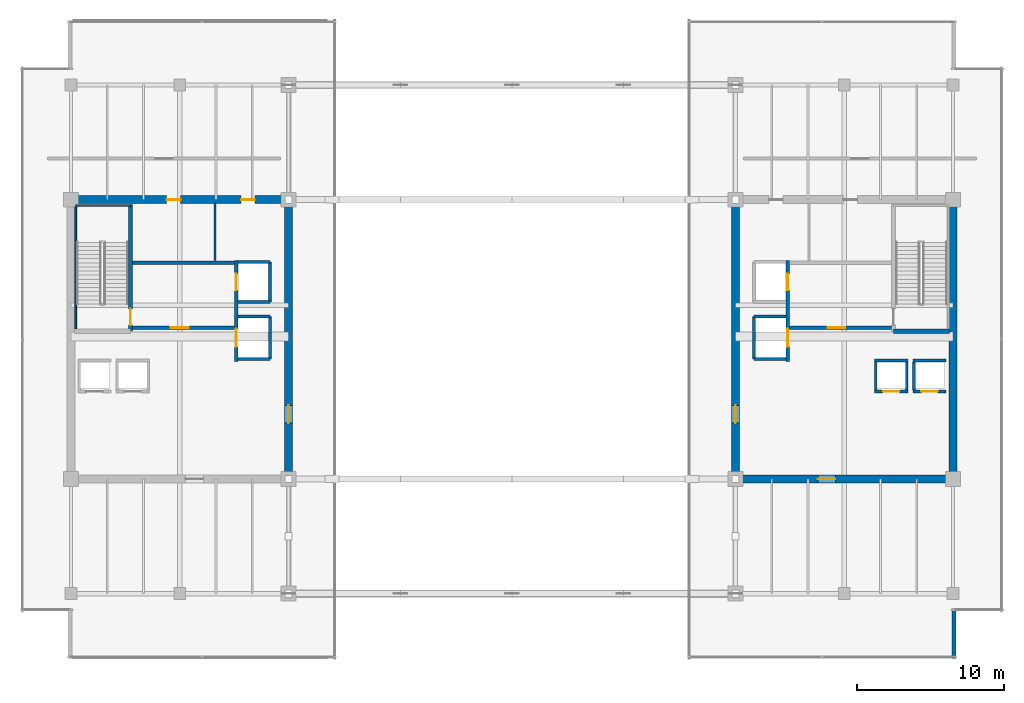
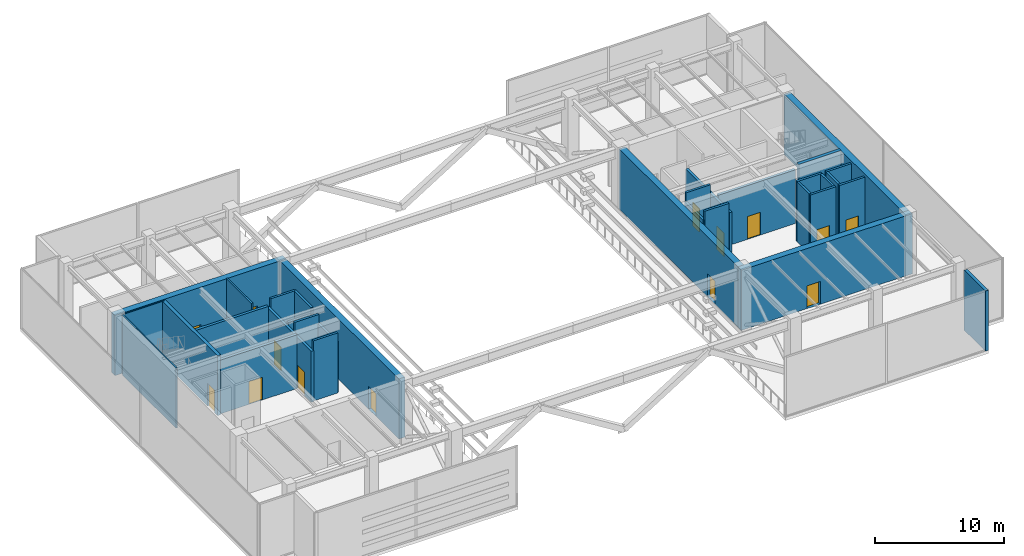
# One storey, part 25 of 30: 32 walls, 14 doors, 14 openings.
"""IFC4 building model written with IfcOpenShell, lengths in metres."""

from ifc_helpers import new_model, si_unit, direction, frame, frame_2d, origin, place, context, subcontext, project, spatial, rectangle, extrude, source, transform, mapped, material, layer, layer_set, type_object, type_shapes, element, fill, save


model = new_model("IFC4")

# Units and contexts
model_context = context("Model", 3, precision=1e-05, world=origin(), true_north=direction((0.0, 1.0)))
body_context = subcontext(model_context, "Body", "Model", "MODEL_VIEW")
ifc_project = project(units=[si_unit("LENGTHUNIT", "METRE"), si_unit("AREAUNIT", "SQUARE_METRE"), si_unit("VOLUMEUNIT", "CUBIC_METRE"), si_unit("PLANEANGLEUNIT", "RADIAN"), si_unit("MASSUNIT", "GRAM", prefix="KILO")], contexts=[model_context])

# Site, building, storey
site_placement = place(None, origin())
site = spatial("IfcSite", under=ifc_project, at=site_placement, CompositionType="ELEMENT")
building_placement = place(site_placement, origin())
building = spatial("IfcBuilding", under=site, at=building_placement, Name="Haelvirn Gate Laboratories", CompositionType="ELEMENT")
storey_placement = place(building_placement, frame((0.0, 0.0, 291.60009765625)))
storey = spatial("IfcBuildingStorey", under=building, at=storey_placement, Name="L70", CompositionType="ELEMENT", Elevation=291.60009765625)

# Walls
ifc_material_1 = material(Name="Thermally-broken bronze aluminium rainscreen & mineral wool", Category="aluminium")
ifc_layer_1 = layer(ifc_material_1, 0.280029296875, Name="EW-TERR-280")
ifc_layer_set_1 = layer_set([ifc_layer_1], Name="Thermally-broken bronze aluminium rainscreen & mineral wool")
wall_type_1 = type_object("IfcWallType", Name="EW-TERR-280", PredefinedType="STANDARD", material=ifc_layer_set_1)
wall_1_placement = place(storey_placement, frame((67.4599609375, 2.60009765625, 0.0), z_axis=(0.0, 0.0, 1.0), x_axis=(0.0, 1.0, 0.0)))
element("IfcWall", 1, at=wall_1_placement, inside=storey, type_object=wall_type_1, Name="L70 Atrium Recess Bronze Return Wall 01", PredefinedType="STANDARD", context=body_context, shape_type="SweptSolid", body=[
    extrude(rectangle(XDim=3.287841796875, YDim=0.280029296875, at=frame_2d((1.64404296875, 0.0))), origin(), (0.0, 0.0, 1.0), 5.699951171875),
])
ifc_material_2 = material(Name="Cement-board restroom plumbing chase wall", Category="gypsum")
ifc_layer_2 = layer(ifc_material_2, 0.155029296875, Name="IW-PLUMB-160")
ifc_layer_set_2 = layer_set([ifc_layer_2], Name="Cement-board restroom plumbing chase wall")
wall_type_2 = type_object("IfcWallType", Name="IW-PLUMB-160", PredefinedType="PLUMBINGWALL", material=ifc_layer_set_2)
wall_2_placement = place(storey_placement, frame((17.18994140625, 29.64990234375, 0.0), z_axis=(0.0, 0.0, 1.0), x_axis=(0.0, 1.0, 0.0)))
element("IfcWall", 2, at=wall_2_placement, inside=storey, type_object=wall_type_2, Name="L70 Interior Wall IW-L70-W-CDIV-1", PredefinedType="PLUMBINGWALL", context=body_context, shape_type="SweptSolid", body=[
    extrude(rectangle(XDim=3.93017578125, YDim=0.155029296875, at=frame_2d((1.965087890625, 0.0))), origin(), (0.0, 0.0, 1.0), 5.699951171875),
])
ifc_material_3 = material(Name="Concrete C40/50", Category="concrete")
ifc_layer_3 = layer(ifc_material_3, 0.179931640625, Name="IW-SHAFT-180")
ifc_layer_set_3 = layer_set([ifc_layer_3], Name="Concrete C40/50")
wall_type_3 = type_object("IfcWallType", Name="IW-SHAFT-180", PredefinedType="SOLIDWALL", material=ifc_layer_set_3)
for number, where, z_axis, x_axis, name in (
    (3, (64.75, 20.85009765625, 0.0), (0.0, 0.0, 1.0), (0.0, 1.0, 0.0), "L70 Interior Wall IW-L70-PL11-SD"),
    (4, (62.14990234375, 20.85009765625, 0.0), (0.0, 0.0, 1.0), (0.0, 1.0, 0.0), "L70 Interior Wall IW-L70-PL12-SD"),
    (5, (64.25, 20.85009765625, 0.0), (0.0, 0.0, 1.0), (0.0, 1.0, 0.0), "L70 Interior Wall IW-L70-PL12-SDE"),
):
    element("IfcWall", number, at=place(storey_placement, frame(where, z_axis=z_axis, x_axis=x_axis)), inside=storey, type_object=wall_type_3, Name=name, PredefinedType="SOLIDWALL", context=body_context, shape_type="SweptSolid", body=[
        extrude(rectangle(XDim=1.89990234375, YDim=0.179931640625, at=frame_2d((0.949951171875, 0.0))), origin(), (0.0, 0.0, 1.0), 5.699951171875),
    ])
ifc_layer_4 = layer(ifc_material_3, 0.199951171875, Name="IW-SHAFT-200")
ifc_layer_set_4 = layer_set([ifc_layer_4], Name="Concrete C40/50")
wall_type_4 = type_object("IfcWallType", Name="IW-SHAFT-200", PredefinedType="SOLIDWALL", material=ifc_layer_set_4)
wall_3_placement = place(storey_placement, frame((20.949951171875, 26.85009765625, 0.0), z_axis=(0.0, 0.0, 1.0), x_axis=(0.0, 1.0, 0.0)))
element("IfcWall", 6, at=wall_3_placement, inside=storey, type_object=wall_type_4, Name="L70 Interior Wall IW-L70-FL1-BK", PredefinedType="SOLIDWALL", context=body_context, shape_type="SweptSolid", body=[
    extrude(rectangle(XDim=2.699951171875, YDim=0.199951171875, at=frame_2d((1.35009765625, 0.0))), origin(), (0.0, 0.0, 1.0), 5.699951171875),
])
wall_4_placement = place(storey_placement, frame((18.760009765625, 29.550048828125, 0.0), z_axis=(0.0, 0.0, 1.0), x_axis=(1.0, 0.0, 0.0)))
element("IfcWall", 7, at=wall_4_placement, inside=storey, type_object=wall_type_4, Name="L70 Interior Wall IW-L70-FL1-N", PredefinedType="SOLIDWALL", context=body_context, shape_type="SweptSolid", body=[
    extrude(rectangle(XDim=2.18994140625, YDim=0.199951171875, at=frame_2d((1.094970703125, 0.0))), origin(), (0.0, 0.0, 1.0), 5.699951171875),
])
wall_5_placement = place(storey_placement, frame((18.760009765625, 26.85009765625, 0.0), z_axis=(0.0, 0.0, 1.0), x_axis=(1.0, 0.0, 0.0)))
element("IfcWall", 8, at=wall_5_placement, inside=storey, type_object=wall_type_4, Name="L70 Interior Wall IW-L70-FL1-S", PredefinedType="SOLIDWALL", context=body_context, shape_type="SweptSolid", body=[
    extrude(rectangle(XDim=2.18994140625, YDim=0.199951171875, at=frame_2d((1.094970703125, 0.0))), origin(), (0.0, 0.0, 1.0), 5.096923828125),
])
wall_6_placement = place(storey_placement, frame((20.949951171875, 22.949951171875, 0.0), z_axis=(0.0, 0.0, 1.0), x_axis=(0.0, 1.0, 0.0)))
element("IfcWall", 9, at=wall_6_placement, inside=storey, type_object=wall_type_4, Name="L70 Interior Wall IW-L70-SL1-BK", PredefinedType="SOLIDWALL", context=body_context, shape_type="SweptSolid", body=[
    extrude(rectangle(XDim=2.900146484375, YDim=0.199951171875, at=frame_2d((1.4501953125, 0.0))), origin(), (0.0, 0.0, 1.0), 4.8349609375),
])
for number, where, z_axis, x_axis, name in (
    (10, (18.760009765625, 25.85009765625, 0.0), (0.0, 0.0, 1.0), (1.0, 0.0, 0.0), "L70 Interior Wall IW-L70-SL1-N"),
    (11, (18.760009765625, 22.949951171875, 0.0), (0.0, 0.0, 1.0), (1.0, 0.0, 0.0), "L70 Interior Wall IW-L70-SL1-S"),
):
    element("IfcWall", number, at=place(storey_placement, frame(where, z_axis=z_axis, x_axis=x_axis)), inside=storey, type_object=wall_type_4, Name=name, PredefinedType="SOLIDWALL", context=body_context, shape_type="SweptSolid", body=[
        extrude(rectangle(XDim=2.18994140625, YDim=0.199951171875, at=frame_2d((1.094970703125, 0.0))), origin(), (0.0, 0.0, 1.0), 5.699951171875),
    ])

# Wall, opening, door
wall_7_placement = place(storey_placement, frame((64.669921875, 20.75, 0.0), z_axis=(0.0, 0.0, 1.0), x_axis=(1.0, 0.0, 0.0)))
wall_7 = element("IfcWall", 12, at=wall_7_placement, inside=storey, type_object=wall_type_4, Name="L70 Interior Wall IW-L70-PL11-FR", PredefinedType="SOLIDWALL", context=body_context, shape_type="SweptSolid", body=[
    extrude(rectangle(XDim=2.260009765625, YDim=0.199951171875, at=frame_2d((1.1298828125, 0.0))), origin(), (0.0, 0.0, 1.0), 5.699951171875),
])
opening_1_placement = place(wall_7_placement, frame((0.580078125, 0.0, 0.0)))
opening_1 = element("IfcOpeningElement", 13, at=opening_1_placement, cuts=wall_7, Name="Opening LD2", PredefinedType="OPENING", context=body_context, shape_type="SweptSolid", body=[
    extrude(rectangle(XDim=1.10009765625, YDim=2.219970703125, at=frame_2d((0.550048828125, 1.10986328125))), frame((0.0, 0.10986328125, 0.0), z_axis=(0.0, -1.0, 0.0), x_axis=(1.0, 0.0, 0.0)), (0.0, 0.0, 1.0), 0.219970703125),
])
ifc_material_4 = material(Name="Bronze stainless 316L sliding lift landing door")
door_type_1 = type_object("IfcDoorType", Name="DR-LD-1100", OperationType="NOTDEFINED", PredefinedType="USERDEFINED", material=ifc_material_4)
shared_shape_1 = source(origin(), body_context, "Body", "SweptSolid", [
    extrude(rectangle(XDim=1.10009765625, YDim=2.219970703125, at=frame_2d((0.550048828125, 1.10986328125))), frame((0.0, 0.02490234375, 0.0), z_axis=(0.0, -1.0, 0.0), x_axis=(1.0, 0.0, 0.0)), (0.0, 0.0, 1.0), 0.050048828125),
])
type_shapes(door_type_1, [shared_shape_1])
door_1_placement = place(opening_1_placement, origin())
door_1 = element("IfcDoor", 14, at=door_1_placement, inside=storey, type_object=door_type_1, Name="L70 Passenger Lift PL11 Landing Door", ObjectType="LANDING_DOOR", OperationType="SLIDING_TO_LEFT", OverallHeight=2.219970703125, OverallWidth=1.10009765625, PredefinedType="USERDEFINED", context=body_context, shape_type="MappedRepresentation", body=[
    mapped(shared_shape_1, transform((0.0, 0.0, 0.0), scale=1.0)),
])
fill(opening_1, door_1)

# Wall
wall_8_placement = place(storey_placement, frame((64.669921875, 22.85009765625, 0.0), z_axis=(0.0, 0.0, 1.0), x_axis=(1.0, 0.0, 0.0)))
element("IfcWall", 15, at=wall_8_placement, inside=storey, type_object=wall_type_4, Name="L70 Interior Wall IW-L70-PL11-BK", PredefinedType="SOLIDWALL", context=body_context, shape_type="SweptSolid", body=[
    extrude(rectangle(XDim=2.260009765625, YDim=0.199951171875, at=frame_2d((1.1298828125, 0.0))), origin(), (0.0, 0.0, 1.0), 5.699951171875),
])

# Wall, opening, door
wall_9_placement = place(storey_placement, frame((62.070068359375, 20.75, 0.0), z_axis=(0.0, 0.0, 1.0), x_axis=(1.0, 0.0, 0.0)))
wall_9 = element("IfcWall", 16, at=wall_9_placement, inside=storey, type_object=wall_type_4, Name="L70 Interior Wall IW-L70-PL12-FR", PredefinedType="SOLIDWALL", context=body_context, shape_type="SweptSolid", body=[
    extrude(rectangle(XDim=2.260009765625, YDim=0.199951171875, at=frame_2d((1.1298828125, 0.0))), origin(), (0.0, 0.0, 1.0), 5.699951171875),
])
opening_2_placement = place(wall_9_placement, frame((0.580078125, 0.0, 0.0)))
opening_2 = element("IfcOpeningElement", 17, at=opening_2_placement, cuts=wall_9, Name="Opening LD2", PredefinedType="OPENING", context=body_context, shape_type="SweptSolid", body=[
    extrude(rectangle(XDim=1.10009765625, YDim=2.219970703125, at=frame_2d((0.550048828125, 1.10986328125))), frame((0.0, 0.10986328125, 0.0), z_axis=(0.0, -1.0, 0.0), x_axis=(1.0, 0.0, 0.0)), (0.0, 0.0, 1.0), 0.219970703125),
])
door_2_placement = place(opening_2_placement, origin())
door_2 = element("IfcDoor", 18, at=door_2_placement, inside=storey, type_object=door_type_1, Name="L70 Passenger Lift PL12 Landing Door", ObjectType="LANDING_DOOR", OperationType="SLIDING_TO_RIGHT", OverallHeight=2.219970703125, OverallWidth=1.10009765625, PredefinedType="USERDEFINED", context=body_context, shape_type="MappedRepresentation", body=[
    mapped(shared_shape_1, transform((0.0, 0.0, 0.0), scale=1.0)),
])
fill(opening_2, door_2)

# Walls
wall_10_placement = place(storey_placement, frame((62.070068359375, 22.85009765625, 0.0), z_axis=(0.0, 0.0, 1.0), x_axis=(1.0, 0.0, 0.0)))
element("IfcWall", 19, at=wall_10_placement, inside=storey, type_object=wall_type_4, Name="L70 Interior Wall IW-L70-PL12-BK", PredefinedType="SOLIDWALL", context=body_context, shape_type="SweptSolid", body=[
    extrude(rectangle(XDim=2.260009765625, YDim=0.199951171875, at=frame_2d((1.1298828125, 0.0))), origin(), (0.0, 0.0, 1.0), 5.699951171875),
])
wall_11_placement = place(storey_placement, frame((53.85009765625, 22.949951171875, 0.0), z_axis=(0.0, 0.0, 1.0), x_axis=(0.0, 1.0, 0.0)))
element("IfcWall", 20, at=wall_11_placement, inside=storey, type_object=wall_type_4, Name="L70 Interior Wall IW-L70-SL2-BK", PredefinedType="SOLIDWALL", context=body_context, shape_type="SweptSolid", body=[
    extrude(rectangle(XDim=2.900146484375, YDim=0.199951171875, at=frame_2d((1.4501953125, 0.0))), origin(), (0.0, 0.0, 1.0), 4.8349609375),
])
for number, where, z_axis, x_axis, name in (
    (21, (53.85009765625, 25.85009765625, 0.0), (0.0, 0.0, 1.0), (1.0, 0.0, 0.0), "L70 Interior Wall IW-L70-SL2-N"),
    (22, (53.85009765625, 22.949951171875, 0.0), (0.0, 0.0, 1.0), (1.0, 0.0, 0.0), "L70 Interior Wall IW-L70-SL2-S"),
):
    element("IfcWall", number, at=place(storey_placement, frame(where, z_axis=z_axis, x_axis=x_axis)), inside=storey, type_object=wall_type_4, Name=name, PredefinedType="SOLIDWALL", context=body_context, shape_type="SweptSolid", body=[
        extrude(rectangle(XDim=2.18994140625, YDim=0.199951171875, at=frame_2d((1.094970703125, 0.0))), origin(), (0.0, 0.0, 1.0), 5.699951171875),
    ])

# Wall, opening, door
ifc_layer_5 = layer(ifc_material_3, 0.239990234375, Name="IW-SHAFT-240")
ifc_layer_set_5 = layer_set([ifc_layer_5], Name="Concrete C40/50")
wall_type_5 = type_object("IfcWallType", Name="IW-SHAFT-240", PredefinedType="SOLIDWALL", material=ifc_layer_set_5)
wall_12_placement = place(storey_placement, frame((11.60009765625, 25.080078125, 0.0), z_axis=(0.0, 0.0, 1.0), x_axis=(1.0, 0.0, 0.0)))
wall_12 = element("IfcWall", 23, at=wall_12_placement, inside=storey, type_object=wall_type_5, Name="L70 Interior Wall IW-L70-W-FF-S", PredefinedType="SOLIDWALL", context=body_context, shape_type="SweptSolid", body=[
    extrude(rectangle(XDim=6.919921875, YDim=0.239990234375, at=frame_2d((3.4599609375, 0.0))), origin(), (0.0, 0.0, 1.0), 5.096923828125),
])
opening_3_placement = place(wall_12_placement, frame((2.60009765625, 0.0, 0.0)))
opening_3 = element("IfcOpeningElement", 24, at=opening_3_placement, cuts=wall_12, Name="Opening FD2", PredefinedType="OPENING", context=body_context, shape_type="SweptSolid", body=[
    extrude(rectangle(XDim=1.199951171875, YDim=2.159912109375, at=frame_2d((0.60009765625, 1.080078125))), frame((0.0, 0.1298828125, 0.0), z_axis=(0.0, -1.0, 0.0), x_axis=(1.0, 0.0, 0.0)), (0.0, 0.0, 1.0), 0.260009765625),
])
ifc_material_5 = material(Name="Fire-rated steel SM355 compartment door", Category="steel")
door_type_2 = type_object("IfcDoorType", Name="DR-FD-1200", OperationType="NOTDEFINED", PredefinedType="DOOR", material=ifc_material_5)
shared_shape_2 = source(origin(), body_context, "Body", "SweptSolid", [
    extrude(rectangle(XDim=1.199951171875, YDim=2.159912109375, at=frame_2d((0.60009765625, 1.080078125))), frame((0.0, 0.02490234375, 0.0), z_axis=(0.0, -1.0, 0.0), x_axis=(1.0, 0.0, 0.0)), (0.0, 0.0, 1.0), 0.050048828125),
])
type_shapes(door_type_2, [shared_shape_2])
door_3_placement = place(opening_3_placement, origin())
door_3 = element("IfcDoor", 25, at=door_3_placement, inside=storey, type_object=door_type_2, Name="L70 West Firefighting Lobby Door", OperationType="SINGLE_SWING_RIGHT", OverallHeight=2.159912109375, OverallWidth=1.199951171875, PredefinedType="DOOR", context=body_context, shape_type="MappedRepresentation", body=[
    mapped(shared_shape_2, transform((0.0, 0.0, 0.0), scale=1.0)),
])
fill(opening_3, door_3)

# Wall
wall_13_placement = place(storey_placement, frame((11.60009765625, 29.52001953125, 0.0), z_axis=(0.0, 0.0, 1.0), x_axis=(1.0, 0.0, 0.0)))
element("IfcWall", 26, at=wall_13_placement, inside=storey, type_object=wall_type_5, Name="L70 Interior Wall IW-L70-W-FF-N", PredefinedType="SOLIDWALL", context=body_context, shape_type="SweptSolid", body=[
    extrude(rectangle(XDim=6.919921875, YDim=0.239990234375, at=frame_2d((3.4599609375, 0.0))), origin(), (0.0, 0.0, 1.0), 5.096923828125),
])

# Wall, openings, doors
wall_14_placement = place(storey_placement, frame((18.639892578125, 22.800048828125, 0.0), z_axis=(0.0, 0.0, 1.0), x_axis=(0.0, 1.0, 0.0)))
wall_14 = element("IfcWall", 27, at=wall_14_placement, inside=storey, type_object=wall_type_5, Name="L70 Interior Wall IW-L70-W-FF-E", PredefinedType="SOLIDWALL", context=body_context, shape_type="SweptSolid", body=[
    extrude(rectangle(XDim=6.849853515625, YDim=0.239990234375, at=frame_2d((3.4248046875, 0.0))), origin(), (0.0, 0.0, 1.0), 4.8349609375),
])
opening_4_placement = place(wall_14_placement, frame((4.85009765625, 0.0, 0.0)))
opening_4 = element("IfcOpeningElement", 28, at=opening_4_placement, cuts=wall_14, Name="Opening LD2", PredefinedType="OPENING", context=body_context, shape_type="SweptSolid", body=[
    extrude(rectangle(XDim=1.10009765625, YDim=2.219970703125, at=frame_2d((0.550048828125, 1.10986328125))), frame((0.0, 0.1298828125, 0.0), z_axis=(0.0, -1.0, 0.0), x_axis=(1.0, 0.0, 0.0)), (0.0, 0.0, 1.0), 0.260009765625),
])
opening_5_placement = place(wall_14_placement, frame((1.0, 0.0, 0.0)))
opening_5 = element("IfcOpeningElement", 29, at=opening_5_placement, cuts=wall_14, Name="Opening LD1", PredefinedType="OPENING", context=body_context, shape_type="SweptSolid", body=[
    extrude(rectangle(XDim=1.199951171875, YDim=2.219970703125, at=frame_2d((0.60009765625, 1.10986328125))), frame((0.0, 0.1298828125, 0.0), z_axis=(0.0, -1.0, 0.0), x_axis=(1.0, 0.0, 0.0)), (0.0, 0.0, 1.0), 0.260009765625),
])
door_4_placement = place(opening_4_placement, origin())
door_4 = element("IfcDoor", 30, at=door_4_placement, inside=storey, type_object=door_type_1, Name="L70 Firefighting Lift FL1 Landing Door", ObjectType="LANDING_DOOR", OperationType="SLIDING_TO_LEFT", OverallHeight=2.219970703125, OverallWidth=1.10009765625, PredefinedType="USERDEFINED", context=body_context, shape_type="MappedRepresentation", body=[
    mapped(shared_shape_1, transform((0.0, 0.0, 0.0), scale=1.0)),
])
fill(opening_4, door_4)
ifc_material_6 = material(Name="Stainless steel 316L sliding goods landing door", Category="steel")
door_type_3 = type_object("IfcDoorType", Name="DR-LD-1200", OperationType="NOTDEFINED", PredefinedType="USERDEFINED", material=ifc_material_6)
shared_shape_3 = source(origin(), body_context, "Body", "SweptSolid", [
    extrude(rectangle(XDim=1.199951171875, YDim=2.219970703125, at=frame_2d((0.60009765625, 1.10986328125))), frame((0.0, 0.02490234375, 0.0), z_axis=(0.0, -1.0, 0.0), x_axis=(1.0, 0.0, 0.0)), (0.0, 0.0, 1.0), 0.050048828125),
])
type_shapes(door_type_3, [shared_shape_3])
door_5_placement = place(opening_5_placement, origin())
door_5 = element("IfcDoor", 31, at=door_5_placement, inside=storey, type_object=door_type_3, Name="L70 Service Lift SL1 Landing Door", ObjectType="LANDING_DOOR", OperationType="SLIDING_TO_RIGHT", OverallHeight=2.219970703125, OverallWidth=1.199951171875, PredefinedType="USERDEFINED", context=body_context, shape_type="MappedRepresentation", body=[
    mapped(shared_shape_3, transform((0.0, 0.0, 0.0), scale=1.0)),
])
fill(opening_5, door_5)

# Wall, opening, door
wall_15_placement = place(storey_placement, frame((56.280029296875, 25.080078125, 0.0), z_axis=(0.0, 0.0, 1.0), x_axis=(1.0, 0.0, 0.0)))
wall_15 = element("IfcWall", 32, at=wall_15_placement, inside=storey, type_object=wall_type_5, Name="L70 Interior Wall IW-L70-E-FF-S", PredefinedType="SOLIDWALL", context=body_context, shape_type="SweptSolid", body=[
    extrude(rectangle(XDim=6.919921875, YDim=0.239990234375, at=frame_2d((3.4599609375, 0.0))), origin(), (0.0, 0.0, 1.0), 5.096923828125),
])
opening_6_placement = place(wall_15_placement, frame((2.60009765625, 0.0, 0.0)))
opening_6 = element("IfcOpeningElement", 33, at=opening_6_placement, cuts=wall_15, Name="Opening FD2", PredefinedType="OPENING", context=body_context, shape_type="SweptSolid", body=[
    extrude(rectangle(XDim=1.199951171875, YDim=2.159912109375, at=frame_2d((0.60009765625, 1.080078125))), frame((0.0, 0.1298828125, 0.0), z_axis=(0.0, -1.0, 0.0), x_axis=(1.0, 0.0, 0.0)), (0.0, 0.0, 1.0), 0.260009765625),
])
door_6_placement = place(opening_6_placement, origin())
door_6 = element("IfcDoor", 34, at=door_6_placement, inside=storey, type_object=door_type_2, Name="L70 East Firefighting Lobby Door", OperationType="SINGLE_SWING_LEFT", OverallHeight=2.159912109375, OverallWidth=1.199951171875, PredefinedType="DOOR", context=body_context, shape_type="MappedRepresentation", body=[
    mapped(shared_shape_2, transform((0.0, 0.0, 0.0), scale=1.0)),
])
fill(opening_6, door_6)

# Wall, openings, doors
wall_16_placement = place(storey_placement, frame((56.159912109375, 22.800048828125, 0.0), z_axis=(0.0, 0.0, 1.0), x_axis=(0.0, 1.0, 0.0)))
wall_16 = element("IfcWall", 35, at=wall_16_placement, inside=storey, type_object=wall_type_5, Name="L70 Interior Wall IW-L70-E-FF-E", PredefinedType="SOLIDWALL", context=body_context, shape_type="SweptSolid", body=[
    extrude(rectangle(XDim=6.849853515625, YDim=0.239990234375, at=frame_2d((3.4248046875, 0.0))), origin(), (0.0, 0.0, 1.0), 4.8349609375),
])
opening_7_placement = place(wall_16_placement, frame((4.85009765625, 0.0, 0.0)))
opening_7 = element("IfcOpeningElement", 36, at=opening_7_placement, cuts=wall_16, Name="Opening LD2", PredefinedType="OPENING", context=body_context, shape_type="SweptSolid", body=[
    extrude(rectangle(XDim=1.10009765625, YDim=2.219970703125, at=frame_2d((0.550048828125, 1.10986328125))), frame((0.0, 0.1298828125, 0.0), z_axis=(0.0, -1.0, 0.0), x_axis=(1.0, 0.0, 0.0)), (0.0, 0.0, 1.0), 0.260009765625),
])
opening_8_placement = place(wall_16_placement, frame((1.0, 0.0, 0.0)))
opening_8 = element("IfcOpeningElement", 37, at=opening_8_placement, cuts=wall_16, Name="Opening LD1", PredefinedType="OPENING", context=body_context, shape_type="SweptSolid", body=[
    extrude(rectangle(XDim=1.199951171875, YDim=2.219970703125, at=frame_2d((0.60009765625, 1.10986328125))), frame((0.0, 0.1298828125, 0.0), z_axis=(0.0, -1.0, 0.0), x_axis=(1.0, 0.0, 0.0)), (0.0, 0.0, 1.0), 0.260009765625),
])
door_7_placement = place(opening_7_placement, origin())
door_7 = element("IfcDoor", 38, at=door_7_placement, inside=storey, type_object=door_type_1, Name="L70 Firefighting Lift FL2 Landing Door", ObjectType="LANDING_DOOR", OperationType="SLIDING_TO_RIGHT", OverallHeight=2.219970703125, OverallWidth=1.10009765625, PredefinedType="USERDEFINED", context=body_context, shape_type="MappedRepresentation", body=[
    mapped(shared_shape_1, transform((0.0, 0.0, 0.0), scale=1.0)),
])
fill(opening_7, door_7)
door_8_placement = place(opening_8_placement, origin())
door_8 = element("IfcDoor", 39, at=door_8_placement, inside=storey, type_object=door_type_3, Name="L70 Service Lift SL2 Landing Door", ObjectType="LANDING_DOOR", OperationType="SLIDING_TO_LEFT", OverallHeight=2.219970703125, OverallWidth=1.199951171875, PredefinedType="USERDEFINED", context=body_context, shape_type="MappedRepresentation", body=[
    mapped(shared_shape_3, transform((0.0, 0.0, 0.0), scale=1.0)),
])
fill(opening_8, door_8)

ifc_material_7 = material(Name="Concrete C50/60", Category="concrete")
ifc_layer_6 = layer(ifc_material_7, 0.550048828125, Name="SW-CORE-550")
ifc_layer_set_6 = layer_set([ifc_layer_6], Name="Concrete C50/60")
wall_type_6 = type_object("IfcWallType", Name="SW-CORE-550", PredefinedType="SHEAR", material=ifc_layer_set_6)
wall_17_placement = place(storey_placement, frame((7.125, 33.800048828125, 0.0), z_axis=(0.0, 0.0, 1.0), x_axis=(1.0, 0.0, 0.0)))
wall_17 = element("IfcWall", 40, at=wall_17_placement, inside=storey, type_object=wall_type_6, Name="L70 W Core Shear Wall N", PredefinedType="SHEAR", context=body_context, shape_type="SweptSolid", body=[
    extrude(rectangle(XDim=15.35009765625, YDim=0.550048828125, at=frame_2d((7.675048828125, 0.0))), origin(), (0.0, 0.0, 1.0), 5.699951171875),
])
opening_9_placement = place(wall_17_placement, frame((6.77490234375, 0.0, 0.0)))
opening_9 = element("IfcOpeningElement", 41, at=opening_9_placement, cuts=wall_17, Name="Opening FD4", PredefinedType="OPENING", context=body_context, shape_type="SweptSolid", body=[
    extrude(rectangle(XDim=0.949951171875, YDim=2.14990234375, at=frame_2d((0.47509765625, 1.074951171875))), frame((0.0, 0.28515625, 0.0), z_axis=(0.0, -1.0, 0.0), x_axis=(1.0, 0.0, 0.0)), (0.0, 0.0, 1.0), 0.570068359375),
])
opening_10_placement = place(wall_17_placement, frame((11.840087890625, 0.0, 0.0)))
opening_10 = element("IfcOpeningElement", 42, at=opening_10_placement, cuts=wall_17, Name="Opening FD4", PredefinedType="OPENING", context=body_context, shape_type="SweptSolid", body=[
    extrude(rectangle(XDim=0.949951171875, YDim=2.14990234375, at=frame_2d((0.47509765625, 1.074951171875))), frame((0.0, 0.28515625, 0.0), z_axis=(0.0, -1.0, 0.0), x_axis=(1.0, 0.0, 0.0)), (0.0, 0.0, 1.0), 0.570068359375),
])
ifc_material_8 = material(Name="Fire-rated steel SM355 core service door", Category="steel")
door_type_4 = type_object("IfcDoorType", Name="DR-FD-950", OperationType="NOTDEFINED", PredefinedType="DOOR", material=ifc_material_8)
shared_shape_4 = source(origin(), body_context, "Body", "SweptSolid", [
    extrude(rectangle(XDim=0.949951171875, YDim=2.14990234375, at=frame_2d((0.47509765625, 1.074951171875))), frame((0.0, 0.02490234375, 0.0), z_axis=(0.0, -1.0, 0.0), x_axis=(1.0, 0.0, 0.0)), (0.0, 0.0, 1.0), 0.050048828125),
])
type_shapes(door_type_4, [shared_shape_4])
door_9_placement = place(opening_9_placement, origin())
door_9 = element("IfcDoor", 43, at=door_9_placement, inside=storey, type_object=door_type_4, Name="L70 All-Gender Multi-Stall Restroom Fire Door", OperationType="SINGLE_SWING_LEFT", OverallHeight=2.14990234375, OverallWidth=0.949951171875, PredefinedType="DOOR", context=body_context, shape_type="MappedRepresentation", body=[
    mapped(shared_shape_4, transform((0.0, 0.0, 0.0), scale=1.0)),
])
fill(opening_9, door_9)
door_10_placement = place(opening_10_placement, origin())
door_10 = element("IfcDoor", 44, at=door_10_placement, inside=storey, type_object=door_type_4, Name="L70 Accessible Restroom Fire Door", OperationType="SINGLE_SWING_RIGHT", OverallHeight=2.14990234375, OverallWidth=0.949951171875, PredefinedType="DOOR", context=body_context, shape_type="MappedRepresentation", body=[
    mapped(shared_shape_4, transform((0.0, 0.0, 0.0), scale=1.0)),
])
fill(opening_10, door_10)

# Wall, opening, door
wall_18_placement = place(storey_placement, frame((52.324951171875, 14.800048828125, 0.0), z_axis=(0.0, 0.0, 1.0), x_axis=(1.0, 0.0, 0.0)))
wall_18 = element("IfcWall", 45, at=wall_18_placement, inside=storey, type_object=wall_type_6, Name="L70 E Core Shear Wall S", PredefinedType="SHEAR", context=body_context, shape_type="SweptSolid", body=[
    extrude(rectangle(XDim=15.35009765625, YDim=0.550048828125, at=frame_2d((7.675048828125, 0.0))), origin(), (0.0, 0.0, 1.0), 5.699951171875),
])
opening_11_placement = place(wall_18_placement, frame((5.875, 0.0, 0.0)))
opening_11 = element("IfcOpeningElement", 46, at=opening_11_placement, cuts=wall_18, Name="Opening FD2", PredefinedType="OPENING", context=body_context, shape_type="SweptSolid", body=[
    extrude(rectangle(XDim=1.199951171875, YDim=2.159912109375, at=frame_2d((0.60009765625, 1.080078125))), frame((0.0, 0.28515625, 0.0), z_axis=(0.0, -1.0, 0.0), x_axis=(1.0, 0.0, 0.0)), (0.0, 0.0, 1.0), 0.570068359375),
])
door_11_placement = place(opening_11_placement, origin())
door_11 = element("IfcDoor", 47, at=door_11_placement, inside=storey, type_object=door_type_2, Name="L70 East Core Refuge Lobby Door", OperationType="SINGLE_SWING_RIGHT", OverallHeight=2.159912109375, OverallWidth=1.199951171875, PredefinedType="DOOR", context=body_context, shape_type="MappedRepresentation", body=[
    mapped(shared_shape_2, transform((0.0, 0.0, 0.0), scale=1.0)),
])
fill(opening_11, door_11)

# Wall
wall_19_placement = place(storey_placement, frame((67.39990234375, 15.074951171875, 0.0), z_axis=(0.0, 0.0, 1.0), x_axis=(0.0, 1.0, 0.0)))
element("IfcWall", 48, at=wall_19_placement, inside=storey, type_object=wall_type_6, Name="L70 E Core Shear Wall E", PredefinedType="SHEAR", context=body_context, shape_type="SweptSolid", body=[
    extrude(rectangle(XDim=18.449951171875, YDim=0.550048828125, at=frame_2d((9.22509765625, 0.0))), origin(), (0.0, 0.0, 1.0), 5.699951171875),
])

# Wall, opening, door
ifc_layer_7 = layer(ifc_material_7, 0.550048828125, Name="SW-CORE-550-EXT")
ifc_layer_set_7 = layer_set([ifc_layer_7], Name="Concrete C50/60")
wall_type_7 = type_object("IfcWallType", Name="SW-CORE-550-EXT", PredefinedType="SHEAR", material=ifc_layer_set_7)
wall_20_placement = place(storey_placement, frame((22.199951171875, 15.074951171875, 0.0), z_axis=(0.0, 0.0, 1.0), x_axis=(0.0, 1.0, 0.0)))
wall_20 = element("IfcWall", 49, at=wall_20_placement, inside=storey, type_object=wall_type_7, Name="L70 W Core Shear Wall E", PredefinedType="SHEAR", context=body_context, shape_type="SweptSolid", body=[
    extrude(rectangle(XDim=18.449951171875, YDim=0.550048828125, at=frame_2d((9.22509765625, 0.0))), origin(), (0.0, 0.0, 1.0), 5.699951171875),
])
opening_12_placement = place(wall_20_placement, frame((3.52490234375, 0.0, 0.0)))
opening_12 = element("IfcOpeningElement", 50, at=opening_12_placement, cuts=wall_20, Name="Opening FD2", PredefinedType="OPENING", context=body_context, shape_type="SweptSolid", body=[
    extrude(rectangle(XDim=1.199951171875, YDim=2.159912109375, at=frame_2d((0.60009765625, 1.080078125))), frame((0.0, 0.28515625, 0.0), z_axis=(0.0, -1.0, 0.0), x_axis=(1.0, 0.0, 0.0)), (0.0, 0.0, 1.0), 0.570068359375),
])
door_12_placement = place(opening_12_placement, origin())
door_12 = element("IfcDoor", 51, at=door_12_placement, inside=storey, type_object=door_type_2, Name="L70 West Plant Spine Core Lobby Fire Door", OperationType="SINGLE_SWING_LEFT", OverallHeight=2.159912109375, OverallWidth=1.199951171875, PredefinedType="DOOR", context=body_context, shape_type="MappedRepresentation", body=[
    mapped(shared_shape_2, transform((0.0, 0.0, 0.0), scale=1.0)),
])
fill(opening_12, door_12)

wall_21_placement = place(storey_placement, frame((52.60009765625, 15.074951171875, 0.0), z_axis=(0.0, 0.0, 1.0), x_axis=(0.0, 1.0, 0.0)))
wall_21 = element("IfcWall", 52, at=wall_21_placement, inside=storey, type_object=wall_type_7, Name="L70 E Core Shear Wall W", PredefinedType="SHEAR", context=body_context, shape_type="SweptSolid", body=[
    extrude(rectangle(XDim=18.449951171875, YDim=0.550048828125, at=frame_2d((9.22509765625, 0.0))), origin(), (0.0, 0.0, 1.0), 5.699951171875),
])
opening_13_placement = place(wall_21_placement, frame((3.52490234375, 0.0, 0.0)))
opening_13 = element("IfcOpeningElement", 53, at=opening_13_placement, cuts=wall_21, Name="Opening FD2", PredefinedType="OPENING", context=body_context, shape_type="SweptSolid", body=[
    extrude(rectangle(XDim=1.199951171875, YDim=2.159912109375, at=frame_2d((0.60009765625, 1.080078125))), frame((0.0, 0.28515625, 0.0), z_axis=(0.0, -1.0, 0.0), x_axis=(1.0, 0.0, 0.0)), (0.0, 0.0, 1.0), 0.570068359375),
])
door_13_placement = place(opening_13_placement, origin())
door_13 = element("IfcDoor", 54, at=door_13_placement, inside=storey, type_object=door_type_2, Name="L70 East Plant Spine Core Lobby Fire Door", OperationType="SINGLE_SWING_RIGHT", OverallHeight=2.159912109375, OverallWidth=1.199951171875, PredefinedType="DOOR", context=body_context, shape_type="MappedRepresentation", body=[
    mapped(shared_shape_2, transform((0.0, 0.0, 0.0), scale=1.0)),
])
fill(opening_13, door_13)

# Walls
ifc_layer_8 = layer(ifc_material_7, 0.1201171875, Name="SW-LINER-120")
ifc_layer_set_8 = layer_set([ifc_layer_8], Name="Concrete C50/60")
wall_type_8 = type_object("IfcWallType", Name="SW-LINER-120", PredefinedType="SOLIDWALL", material=ifc_layer_set_8)
wall_22_placement = place(storey_placement, frame((7.72998046875, 33.39990234375, 0.0), z_axis=(0.0, 0.0, 1.0), x_axis=(1.0, 0.0, 0.0)))
element("IfcWall", 55, at=wall_22_placement, inside=storey, type_object=wall_type_8, Name="L70 W Core Stair Shaft Liner Wall N", PredefinedType="SOLIDWALL", context=body_context, shape_type="SweptSolid", body=[
    extrude(rectangle(XDim=3.719970703125, YDim=0.1201171875, at=frame_2d((1.85986328125, 0.0))), origin(), (0.0, 0.0, 1.0), 5.699951171875),
])
wall_23_placement = place(storey_placement, frame((7.72998046875, 25.0, 0.0), z_axis=(0.0, 0.0, 1.0), x_axis=(0.0, 1.0, 0.0)))
element("IfcWall", 56, at=wall_23_placement, inside=storey, type_object=wall_type_8, Name="L70 W Core Stair Shaft Liner Wall OUT", PredefinedType="SOLIDWALL", context=body_context, shape_type="SweptSolid", body=[
    extrude(rectangle(XDim=8.320068359375, YDim=0.1201171875, at=frame_2d((4.16015625, 0.0))), origin(), (0.0, 0.0, 1.0), 5.699951171875),
])

# Wall, opening, door
ifc_layer_9 = layer(ifc_material_7, 0.300048828125, Name="SW-STAIR-300")
ifc_layer_set_9 = layer_set([ifc_layer_9], Name="Concrete C50/60")
wall_type_9 = type_object("IfcWallType", Name="SW-STAIR-300", PredefinedType="SHEAR", material=ifc_layer_set_9)
wall_24_placement = place(storey_placement, frame((11.449951171875, 24.85009765625, 0.0), z_axis=(0.0, 0.0, 1.0), x_axis=(0.0, 1.0, 0.0)))
wall_24 = element("IfcWall", 57, at=wall_24_placement, inside=storey, type_object=wall_type_9, Name="L70 W Core Stair Shaft Structural Wall IN", PredefinedType="SHEAR", context=body_context, shape_type="SweptSolid", body=[
    extrude(rectangle(XDim=8.6298828125, YDim=0.300048828125, at=frame_2d((4.31494140625, 0.0))), origin(), (0.0, 0.0, 1.0), 5.699951171875),
])
opening_14_placement = place(wall_24_placement, frame((0.419921875, 0.0, 0.0)))
opening_14 = element("IfcOpeningElement", 58, at=opening_14_placement, cuts=wall_24, Name="Opening FD3", PredefinedType="OPENING", context=body_context, shape_type="SweptSolid", body=[
    extrude(rectangle(XDim=1.10009765625, YDim=2.14990234375, at=frame_2d((0.550048828125, 1.074951171875))), frame((0.0, 0.16015625, 0.0), z_axis=(0.0, -1.0, 0.0), x_axis=(1.0, 0.0, 0.0)), (0.0, 0.0, 1.0), 0.320068359375),
])
ifc_material_9 = material(Name="Fire-rated steel SM355 escape stair door", Category="steel")
door_type_5 = type_object("IfcDoorType", Name="DR-FD-1100", OperationType="NOTDEFINED", PredefinedType="DOOR", material=ifc_material_9)
shared_shape_5 = source(origin(), body_context, "Body", "SweptSolid", [
    extrude(rectangle(XDim=1.10009765625, YDim=2.14990234375, at=frame_2d((0.550048828125, 1.074951171875))), frame((0.0, 0.02490234375, 0.0), z_axis=(0.0, -1.0, 0.0), x_axis=(1.0, 0.0, 0.0)), (0.0, 0.0, 1.0), 0.050048828125),
])
type_shapes(door_type_5, [shared_shape_5])
door_14_placement = place(opening_14_placement, origin())
door_14 = element("IfcDoor", 59, at=door_14_placement, inside=storey, type_object=door_type_5, Name="L70 Escape Stair ST1 Fire Door", OperationType="SINGLE_SWING_LEFT", OverallHeight=2.14990234375, OverallWidth=1.10009765625, PredefinedType="DOOR", context=body_context, shape_type="MappedRepresentation", body=[
    mapped(shared_shape_5, transform((0.0, 0.0, 0.0), scale=1.0)),
])
fill(opening_14, door_14)

# Wall
wall_25_placement = place(storey_placement, frame((63.35009765625, 24.85009765625, 0.0), z_axis=(0.0, 0.0, 1.0), x_axis=(1.0, 0.0, 0.0)))
element("IfcWall", 60, at=wall_25_placement, inside=storey, type_object=wall_type_9, Name="L70 E Core Stair Shaft Structural Wall S", PredefinedType="SHEAR", context=body_context, shape_type="SweptSolid", body=[
    extrude(rectangle(XDim=3.7998046875, YDim=0.300048828125, at=frame_2d((1.89990234375, 0.0))), origin(), (0.0, 0.0, 1.0), 5.699951171875),
])

save(model, "model.ifc")
